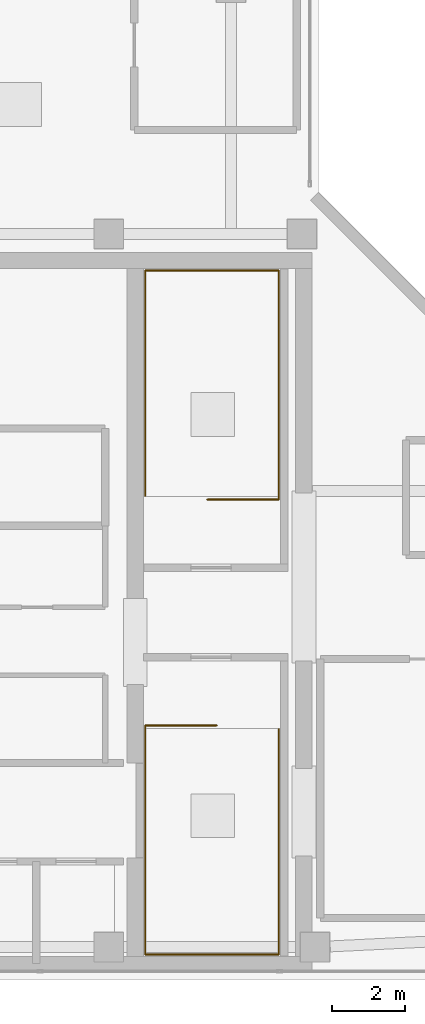
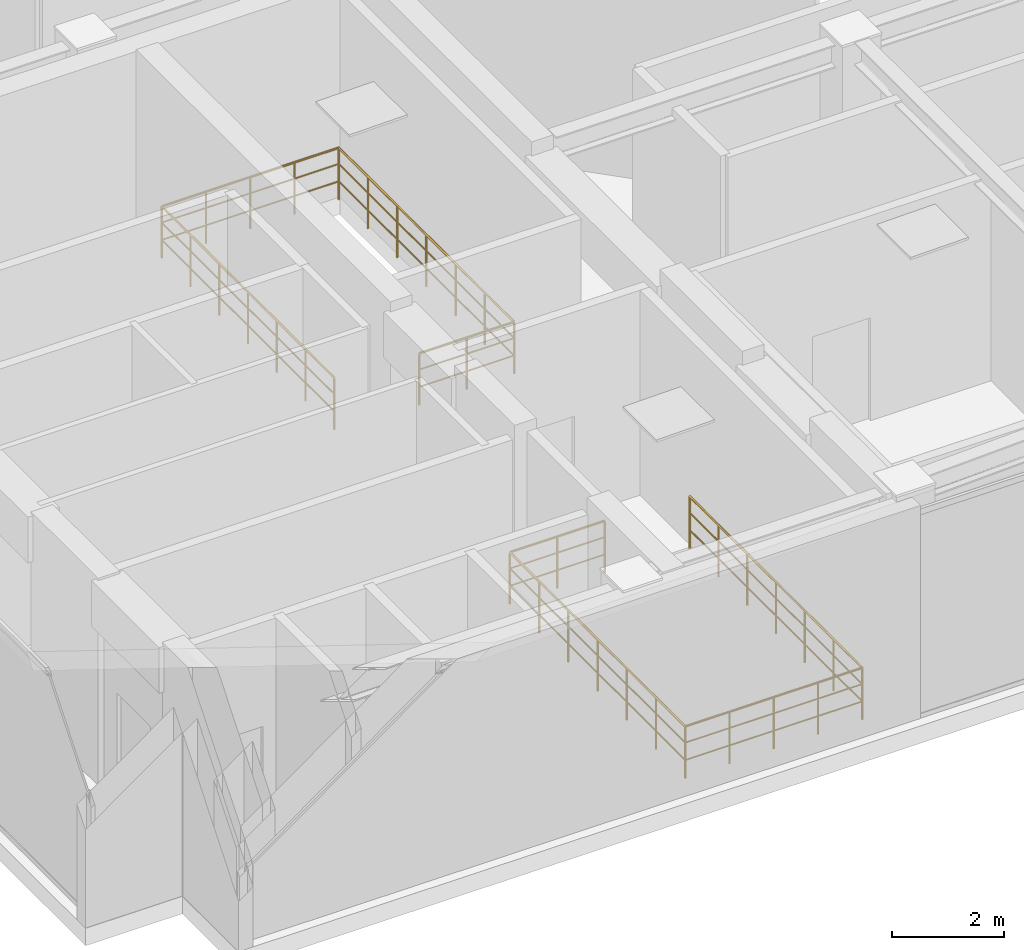
# One storey, part 22 of 22: 4 railings.
"""IFC4 building model written with IfcOpenShell, lengths in metres."""

from ifc_helpers import new_model, si_unit, direction, frame, origin, origin_2d, place, context, subcontext, project, spatial, circle, extrude, material, type_object, element, save


model = new_model("IFC4")

# Units and contexts
model_context = context("Model", 3, precision=1e-05, world=origin(), true_north=direction((0.0, 1.0)))
body_context = subcontext(model_context, "Body", "Model", "MODEL_VIEW")
ifc_project = project(units=[si_unit("LENGTHUNIT", "METRE"), si_unit("AREAUNIT", "SQUARE_METRE"), si_unit("VOLUMEUNIT", "CUBIC_METRE"), si_unit("PLANEANGLEUNIT", "RADIAN"), si_unit("MASSUNIT", "GRAM", prefix="KILO")], contexts=[model_context])

# Site, building, storey
site_placement = place(None, origin())
site = spatial("IfcSite", under=ifc_project, at=site_placement, CompositionType="ELEMENT")
building_placement = place(site_placement, origin())
building = spatial("IfcBuilding", under=site, at=building_placement, Name="Kolvaren Waterfront Exchange", CompositionType="ELEMENT")
storey_placement = place(building_placement, frame((0.0, 0.0, 360.39990234375)))
storey = spatial("IfcBuildingStorey", under=building, at=storey_placement, Name="RF", CompositionType="ELEMENT", Elevation=360.39990234375)

# Railings
ifc_material = material(Name="Stainless steel 316", Category="steel")
railing_type = type_object("IfcRailingType", Name="ARC-GUARD-STAIR", PredefinedType="GUARDRAIL", material=ifc_material)
railing_1_placement = place(storey_placement, frame((16.449951171875, 10.97998046875, 0.0)))
element("IfcRailing", 1, at=railing_1_placement, inside=storey, type_object=railing_type, Name="RF ST1 top well guard 1", PredefinedType="GUARDRAIL", context=body_context, shape_type="SweptSolid", body=[
    extrude(circle(Radius=0.02392578125, at=origin_2d()), frame((0.0, 0.0, 1.1259765625), z_axis=(1.0, 0.0, 0.0), x_axis=(0.0, 1.0, 0.0)), (0.0, 0.0, 1.0), 1.9599609375),
    extrude(circle(Radius=0.01611328125, at=origin_2d()), frame((0.0, 0.0, 0.390869140625), z_axis=(1.0, 0.0, 0.0), x_axis=(0.0, 1.0, 0.0)), (0.0, 0.0, 1.0), 1.9599609375),
    extrude(circle(Radius=0.01611328125, at=origin_2d()), frame((0.0, 0.0, 0.7705078125), z_axis=(1.0, 0.0, 0.0), x_axis=(0.0, 1.0, 0.0)), (0.0, 0.0, 1.0), 1.9599609375),
    extrude(circle(Radius=0.02099609375, at=origin_2d()), origin(), (0.0, 0.0, 1.0), 1.101806640625),
    extrude(circle(Radius=0.02099609375, at=origin_2d()), frame((0.97998046875, 0.0, 0.0)), (0.0, 0.0, 1.0), 1.101806640625),
    extrude(circle(Radius=0.02099609375, at=origin_2d()), frame((1.9599609375, 0.0, 0.0)), (0.0, 0.0, 1.0), 1.101806640625),
])
railing_2_placement = place(storey_placement, frame((16.449951171875, 10.97998046875, 0.0)))
element("IfcRailing", 2, at=railing_2_placement, inside=storey, type_object=railing_type, Name="RF ST1 top well guard 2", PredefinedType="GUARDRAIL", context=body_context, shape_type="SweptSolid", body=[
    extrude(circle(Radius=0.02392578125, at=origin_2d()), frame((0.0, 0.0, 1.1259765625), z_axis=(0.0, -1.0, 0.0), x_axis=(1.0, 0.0, 0.0)), (0.0, 0.0, 1.0), 6.280029296875),
    extrude(circle(Radius=0.01611328125, at=origin_2d()), frame((0.0, 0.0, 0.390869140625), z_axis=(0.0, -1.0, 0.0), x_axis=(1.0, 0.0, 0.0)), (0.0, 0.0, 1.0), 6.280029296875),
    extrude(circle(Radius=0.01611328125, at=origin_2d()), frame((0.0, 0.0, 0.7705078125), z_axis=(0.0, -1.0, 0.0), x_axis=(1.0, 0.0, 0.0)), (0.0, 0.0, 1.0), 6.280029296875),
    extrude(circle(Radius=0.02392578125, at=origin_2d()), frame((0.0, -6.280029296875, 1.1259765625), z_axis=(1.0, 0.0, 0.0), x_axis=(0.0, 1.0, 0.0)), (0.0, 0.0, 1.0), 3.66015625),
    extrude(circle(Radius=0.01611328125, at=origin_2d()), frame((0.0, -6.280029296875, 0.390869140625), z_axis=(1.0, 0.0, 0.0), x_axis=(0.0, 1.0, 0.0)), (0.0, 0.0, 1.0), 3.66015625),
    extrude(circle(Radius=0.01611328125, at=origin_2d()), frame((0.0, -6.280029296875, 0.7705078125), z_axis=(1.0, 0.0, 0.0), x_axis=(0.0, 1.0, 0.0)), (0.0, 0.0, 1.0), 3.66015625),
    extrude(circle(Radius=0.02392578125, at=origin_2d()), frame((3.66015625, -6.280029296875, 1.1259765625), z_axis=(0.0, 1.0, 0.0), x_axis=(-1.0, 0.0, 0.0)), (0.0, 0.0, 1.0), 6.179931640625),
    extrude(circle(Radius=0.01611328125, at=origin_2d()), frame((3.66015625, -6.280029296875, 0.390869140625), z_axis=(0.0, 1.0, 0.0), x_axis=(-1.0, 0.0, 0.0)), (0.0, 0.0, 1.0), 6.179931640625),
    extrude(circle(Radius=0.01611328125, at=origin_2d()), frame((3.66015625, -6.280029296875, 0.7705078125), z_axis=(0.0, 1.0, 0.0), x_axis=(-1.0, 0.0, 0.0)), (0.0, 0.0, 1.0), 6.179931640625),
    extrude(circle(Radius=0.02099609375, at=origin_2d()), origin(), (0.0, 0.0, 1.0), 1.101806640625),
    extrude(circle(Radius=0.02099609375, at=origin_2d()), frame((0.0, -1.046630859375, 0.0)), (0.0, 0.0, 1.0), 1.101806640625),
    extrude(circle(Radius=0.02099609375, at=origin_2d()), frame((0.0, -2.09326171875, 0.0)), (0.0, 0.0, 1.0), 1.101806640625),
    extrude(circle(Radius=0.02099609375, at=origin_2d()), frame((0.0, -3.14013671875, 0.0)), (0.0, 0.0, 1.0), 1.101806640625),
    extrude(circle(Radius=0.02099609375, at=origin_2d()), frame((0.0, -4.186767578125, 0.0)), (0.0, 0.0, 1.0), 1.101806640625),
    extrude(circle(Radius=0.02099609375, at=origin_2d()), frame((0.0, -5.2333984375, 0.0)), (0.0, 0.0, 1.0), 1.101806640625),
    extrude(circle(Radius=0.02099609375, at=origin_2d()), frame((0.0, -6.280029296875, 0.0)), (0.0, 0.0, 1.0), 1.101806640625),
    extrude(circle(Radius=0.02099609375, at=origin_2d()), frame((0.9150390625, -6.280029296875, 0.0)), (0.0, 0.0, 1.0), 1.101806640625),
    extrude(circle(Radius=0.02099609375, at=origin_2d()), frame((1.830078125, -6.280029296875, 0.0)), (0.0, 0.0, 1.0), 1.101806640625),
    extrude(circle(Radius=0.02099609375, at=origin_2d()), frame((2.7451171875, -6.280029296875, 0.0)), (0.0, 0.0, 1.0), 1.101806640625),
    extrude(circle(Radius=0.02099609375, at=origin_2d()), frame((3.66015625, -6.280029296875, 0.0)), (0.0, 0.0, 1.0), 1.101806640625),
    extrude(circle(Radius=0.02099609375, at=origin_2d()), frame((3.66015625, -5.25, 0.0)), (0.0, 0.0, 1.0), 1.101806640625),
    extrude(circle(Radius=0.02099609375, at=origin_2d()), frame((3.66015625, -4.219970703125, 0.0)), (0.0, 0.0, 1.0), 1.101806640625),
    extrude(circle(Radius=0.02099609375, at=origin_2d()), frame((3.66015625, -3.18994140625, 0.0)), (0.0, 0.0, 1.0), 1.101806640625),
    extrude(circle(Radius=0.02099609375, at=origin_2d()), frame((3.66015625, -2.16015625, 0.0)), (0.0, 0.0, 1.0), 1.101806640625),
    extrude(circle(Radius=0.02099609375, at=origin_2d()), frame((3.66015625, -1.130126953125, 0.0)), (0.0, 0.0, 1.0), 1.101806640625),
    extrude(circle(Radius=0.02099609375, at=origin_2d()), frame((3.66015625, -0.10009765625, 0.0)), (0.0, 0.0, 1.0), 1.101806640625),
])
railing_3_placement = place(storey_placement, frame((20.110107421875, 17.169921875, 0.0)))
element("IfcRailing", 3, at=railing_3_placement, inside=storey, type_object=railing_type, Name="RF ST2 top well guard 1", PredefinedType="GUARDRAIL", context=body_context, shape_type="SweptSolid", body=[
    extrude(circle(Radius=0.02392578125, at=origin_2d()), frame((0.0, 0.0, 1.1259765625), z_axis=(-1.0, 0.0, 0.0), x_axis=(0.0, -1.0, 0.0)), (0.0, 0.0, 1.0), 1.960205078125),
    extrude(circle(Radius=0.01611328125, at=origin_2d()), frame((0.0, 0.0, 0.390869140625), z_axis=(-1.0, 0.0, 0.0), x_axis=(0.0, -1.0, 0.0)), (0.0, 0.0, 1.0), 1.960205078125),
    extrude(circle(Radius=0.01611328125, at=origin_2d()), frame((0.0, 0.0, 0.7705078125), z_axis=(-1.0, 0.0, 0.0), x_axis=(0.0, -1.0, 0.0)), (0.0, 0.0, 1.0), 1.960205078125),
    extrude(circle(Radius=0.02099609375, at=origin_2d()), origin(), (0.0, 0.0, 1.0), 1.101806640625),
    extrude(circle(Radius=0.02099609375, at=origin_2d()), frame((-0.97998046875, 0.0, 0.0)), (0.0, 0.0, 1.0), 1.101806640625),
    extrude(circle(Radius=0.02099609375, at=origin_2d()), frame((-1.960205078125, 0.0, 0.0)), (0.0, 0.0, 1.0), 1.101806640625),
])
railing_4_placement = place(storey_placement, frame((20.110107421875, 17.169921875, 0.0)))
element("IfcRailing", 4, at=railing_4_placement, inside=storey, type_object=railing_type, Name="RF ST2 top well guard 2", PredefinedType="GUARDRAIL", context=body_context, shape_type="SweptSolid", body=[
    extrude(circle(Radius=0.02392578125, at=origin_2d()), frame((0.0, 0.0, 1.1259765625), z_axis=(0.0, 1.0, 0.0), x_axis=(-1.0, 0.0, 0.0)), (0.0, 0.0, 1.0), 6.280029296875),
    extrude(circle(Radius=0.01611328125, at=origin_2d()), frame((0.0, 0.0, 0.390869140625), z_axis=(0.0, 1.0, 0.0), x_axis=(-1.0, 0.0, 0.0)), (0.0, 0.0, 1.0), 6.280029296875),
    extrude(circle(Radius=0.01611328125, at=origin_2d()), frame((0.0, 0.0, 0.7705078125), z_axis=(0.0, 1.0, 0.0), x_axis=(-1.0, 0.0, 0.0)), (0.0, 0.0, 1.0), 6.280029296875),
    extrude(circle(Radius=0.02392578125, at=origin_2d()), frame((0.0, 6.280029296875, 1.1259765625), z_axis=(-1.0, 0.0, 0.0), x_axis=(0.0, -1.0, 0.0)), (0.0, 0.0, 1.0), 3.66015625),
    extrude(circle(Radius=0.01611328125, at=origin_2d()), frame((0.0, 6.280029296875, 0.390869140625), z_axis=(-1.0, 0.0, 0.0), x_axis=(0.0, -1.0, 0.0)), (0.0, 0.0, 1.0), 3.66015625),
    extrude(circle(Radius=0.01611328125, at=origin_2d()), frame((0.0, 6.280029296875, 0.7705078125), z_axis=(-1.0, 0.0, 0.0), x_axis=(0.0, -1.0, 0.0)), (0.0, 0.0, 1.0), 3.66015625),
    extrude(circle(Radius=0.02392578125, at=origin_2d()), frame((-3.66015625, 6.280029296875, 1.1259765625), z_axis=(0.0, -1.0, 0.0), x_axis=(1.0, 0.0, 0.0)), (0.0, 0.0, 1.0), 6.179931640625),
    extrude(circle(Radius=0.01611328125, at=origin_2d()), frame((-3.66015625, 6.280029296875, 0.390869140625), z_axis=(0.0, -1.0, 0.0), x_axis=(1.0, 0.0, 0.0)), (0.0, 0.0, 1.0), 6.179931640625),
    extrude(circle(Radius=0.01611328125, at=origin_2d()), frame((-3.66015625, 6.280029296875, 0.7705078125), z_axis=(0.0, -1.0, 0.0), x_axis=(1.0, 0.0, 0.0)), (0.0, 0.0, 1.0), 6.179931640625),
    extrude(circle(Radius=0.02099609375, at=origin_2d()), origin(), (0.0, 0.0, 1.0), 1.101806640625),
    extrude(circle(Radius=0.02099609375, at=origin_2d()), frame((0.0, 1.046630859375, 0.0)), (0.0, 0.0, 1.0), 1.101806640625),
    extrude(circle(Radius=0.02099609375, at=origin_2d()), frame((0.0, 2.09326171875, 0.0)), (0.0, 0.0, 1.0), 1.101806640625),
    extrude(circle(Radius=0.02099609375, at=origin_2d()), frame((0.0, 3.14013671875, 0.0)), (0.0, 0.0, 1.0), 1.101806640625),
    extrude(circle(Radius=0.02099609375, at=origin_2d()), frame((0.0, 4.186767578125, 0.0)), (0.0, 0.0, 1.0), 1.101806640625),
    extrude(circle(Radius=0.02099609375, at=origin_2d()), frame((0.0, 5.2333984375, 0.0)), (0.0, 0.0, 1.0), 1.101806640625),
    extrude(circle(Radius=0.02099609375, at=origin_2d()), frame((0.0, 6.280029296875, 0.0)), (0.0, 0.0, 1.0), 1.101806640625),
    extrude(circle(Radius=0.02099609375, at=origin_2d()), frame((-0.9150390625, 6.280029296875, 0.0)), (0.0, 0.0, 1.0), 1.101806640625),
    extrude(circle(Radius=0.02099609375, at=origin_2d()), frame((-1.830078125, 6.280029296875, 0.0)), (0.0, 0.0, 1.0), 1.101806640625),
    extrude(circle(Radius=0.02099609375, at=origin_2d()), frame((-2.7451171875, 6.280029296875, 0.0)), (0.0, 0.0, 1.0), 1.101806640625),
    extrude(circle(Radius=0.02099609375, at=origin_2d()), frame((-3.66015625, 6.280029296875, 0.0)), (0.0, 0.0, 1.0), 1.101806640625),
    extrude(circle(Radius=0.02099609375, at=origin_2d()), frame((-3.66015625, 5.25, 0.0)), (0.0, 0.0, 1.0), 1.101806640625),
    extrude(circle(Radius=0.02099609375, at=origin_2d()), frame((-3.66015625, 4.219970703125, 0.0)), (0.0, 0.0, 1.0), 1.101806640625),
    extrude(circle(Radius=0.02099609375, at=origin_2d()), frame((-3.66015625, 3.18994140625, 0.0)), (0.0, 0.0, 1.0), 1.101806640625),
    extrude(circle(Radius=0.02099609375, at=origin_2d()), frame((-3.66015625, 2.16015625, 0.0)), (0.0, 0.0, 1.0), 1.101806640625),
    extrude(circle(Radius=0.02099609375, at=origin_2d()), frame((-3.66015625, 1.130126953125, 0.0)), (0.0, 0.0, 1.0), 1.101806640625),
    extrude(circle(Radius=0.02099609375, at=origin_2d()), frame((-3.66015625, 0.10009765625, 0.0)), (0.0, 0.0, 1.0), 1.101806640625),
])

save(model, "model.ifc")
